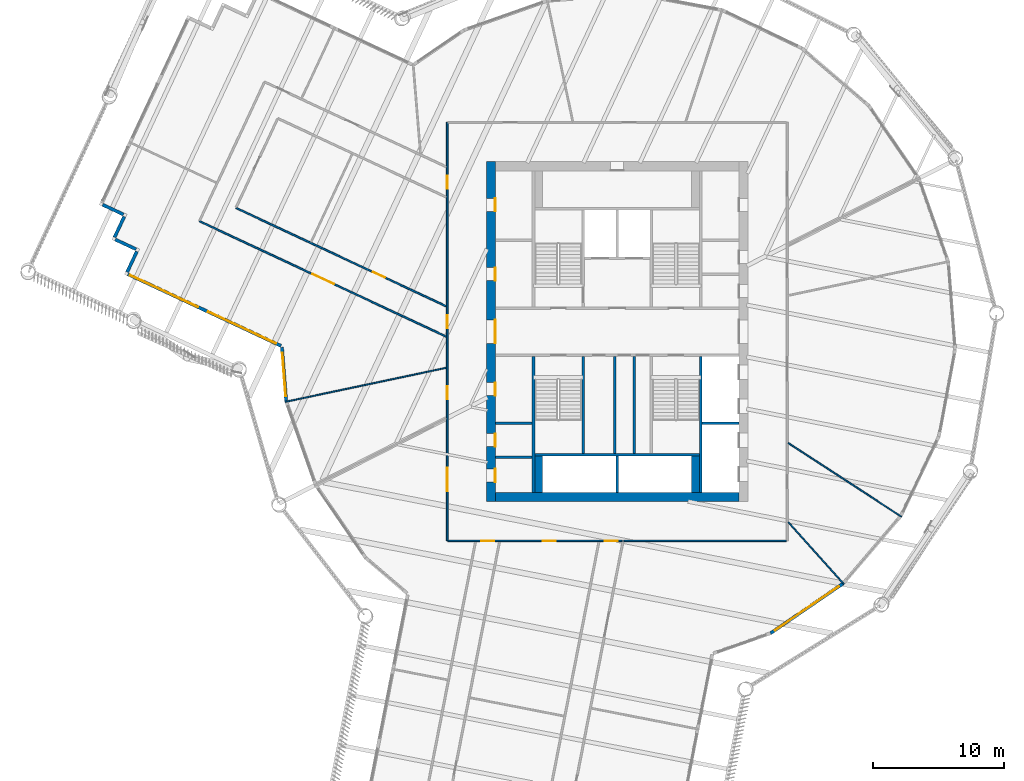
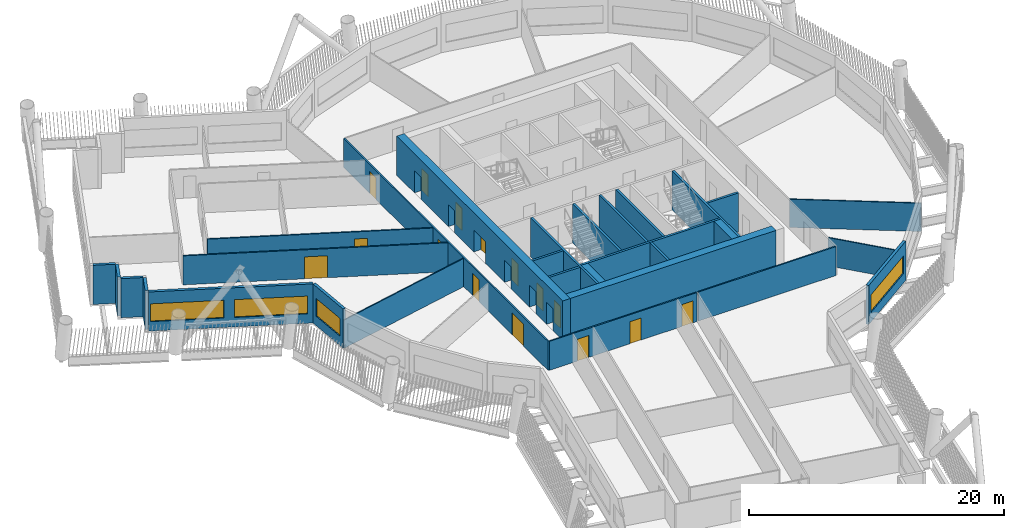
# One storey, part 4 of 24: 29 walls, 15 doors, 4 windows, 19 openings.
"""IFC4 building model written with IfcOpenShell, lengths in metres."""

from ifc_helpers import new_model, si_unit, direction, frame, frame_2d, origin, place, context, subcontext, project, spatial, rectangle, extrude, material, layer, layer_set, type_object, element, fill, save


model = new_model("IFC4")

# Units and contexts
model_context = context("Model", 3, precision=1e-05, world=origin(), true_north=direction((0.0, 1.0)))
body_context = subcontext(model_context, "Body", "Model", "MODEL_VIEW")
ifc_project = project(units=[si_unit("LENGTHUNIT", "METRE"), si_unit("AREAUNIT", "SQUARE_METRE"), si_unit("VOLUMEUNIT", "CUBIC_METRE"), si_unit("PLANEANGLEUNIT", "RADIAN"), si_unit("MASSUNIT", "GRAM", prefix="KILO")], contexts=[model_context])

# Site, building, storey
site_placement = place(None, origin())
site = spatial("IfcSite", under=ifc_project, at=site_placement, CompositionType="ELEMENT")
building_placement = place(site_placement, origin())
building = spatial("IfcBuilding", under=site, at=building_placement, Name="Tarsis Ring Headquarters", CompositionType="ELEMENT")
storey_placement = place(building_placement, frame((0.0, 0.0, 178.800048828125)))
storey = spatial("IfcBuildingStorey", under=building, at=storey_placement, Name="L41", CompositionType="ELEMENT", Elevation=178.800048828125)

# Walls
ifc_material_1 = material(Name="Blockwork", Category="masonry")
ifc_layer_1 = layer(ifc_material_1, 0.199951171875)
ifc_layer_set_1 = layer_set([ifc_layer_1], Name="Core blockwork wall 200")
wall_type_1 = type_object("IfcWallType", Name="Core blockwork wall 200", PredefinedType="PARTITIONING", material=ifc_layer_set_1)
for number, where, z_axis, x_axis, name in (
    (1, (-9.300048828125, -9.60009765625, 0.0), (0.0, 0.0, 1.0), (1.0, 0.0, 0.0), "Core partition WD1"),
    (2, (-9.300048828125, -7.0, 0.0), (0.0, 0.0, 1.0), (1.0, 0.0, 0.0), "Core partition WD2"),
):
    element("IfcWall", number, at=place(storey_placement, frame(where, z_axis=z_axis, x_axis=x_axis)), inside=storey, type_object=wall_type_1, Name=name, PredefinedType="PARTITIONING", context=body_context, shape_type="SweptSolid", body=[
        extrude(rectangle(XDim=2.800048828125, YDim=0.199951171875, at=frame_2d((1.39990234375, 0.0))), origin(), (0.0, 0.0, 1.0), 3.739990234375),
    ])
for number, where, z_axis, x_axis, name in (
    (3, (-0.199951171875, -9.300048828125, 0.0), (0.0, 0.0, 1.0), (0.0, 1.0, 0.0), "Core partition SV1"),
    (4, (1.300048828125, -9.300048828125, 0.0), (0.0, 0.0, 1.0), (0.0, 1.0, 0.0), "Core partition SV2"),
):
    element("IfcWall", number, at=place(storey_placement, frame(where, z_axis=z_axis, x_axis=x_axis)), inside=storey, type_object=wall_type_1, Name=name, PredefinedType="PARTITIONING", context=body_context, shape_type="SweptSolid", body=[
        extrude(rectangle(XDim=7.400146484375, YDim=0.199951171875, at=frame_2d((3.7001953125, 0.0))), origin(), (0.0, 0.0, 1.0), 3.739990234375),
    ])

# Wall, openings, doors
ifc_material_2 = material(Name="Concrete C60/75", Category="concrete")
ifc_layer_2 = layer(ifc_material_2, 0.699951171875)
ifc_layer_set_2 = layer_set([ifc_layer_2], Name="Core wall 700 C60/75")
wall_type_2 = type_object("IfcWallType", Name="Core wall 700 C60/75", PredefinedType="SHEAR", material=ifc_layer_set_2)
wall_1_placement = place(storey_placement, frame((-9.64990234375, -13.0, 0.0), z_axis=(0.0, 0.0, 1.0), x_axis=(0.0, 1.0, 0.0)))
wall_1 = element("IfcWall", 5, at=wall_1_placement, inside=storey, type_object=wall_type_2, Name="Core wall OW", PredefinedType="SHEAR", context=body_context, shape_type="SweptSolid", body=[
    extrude(rectangle(XDim=26.0, YDim=0.699951171875, at=frame_2d((13.0, 0.0))), origin(), (0.0, 0.0, 1.0), 3.739990234375),
])
opening_1_placement = place(wall_1_placement, frame((1.5, 0.0, 0.0)))
opening_1 = element("IfcOpeningElement", 6, at=opening_1_placement, cuts=wall_1, Name="Opening L41-C01", PredefinedType="OPENING", context=body_context, shape_type="SweptSolid", body=[
    extrude(rectangle(XDim=1.0, YDim=2.10009765625, at=frame_2d((0.5, 1.050048828125))), frame((0.0, 0.35986328125, 0.0), z_axis=(0.0, -1.0, 0.0), x_axis=(1.0, 0.0, 0.0)), (0.0, 0.0, 1.0), 0.719970703125),
])
opening_2_placement = place(wall_1_placement, frame((4.199951171875, 0.0, 0.0)))
opening_2 = element("IfcOpeningElement", 7, at=opening_2_placement, cuts=wall_1, Name="Opening L41-C02", PredefinedType="OPENING", context=body_context, shape_type="SweptSolid", body=[
    extrude(rectangle(XDim=1.0, YDim=2.10009765625, at=frame_2d((0.5, 1.050048828125))), frame((0.0, 0.35986328125, 0.0), z_axis=(0.0, -1.0, 0.0), x_axis=(1.0, 0.0, 0.0)), (0.0, 0.0, 1.0), 0.719970703125),
])
opening_3_placement = place(wall_1_placement, frame((8.10009765625, 0.0, 0.0)))
opening_3 = element("IfcOpeningElement", 8, at=opening_3_placement, cuts=wall_1, Name="Opening L41-C03", PredefinedType="OPENING", context=body_context, shape_type="SweptSolid", body=[
    extrude(rectangle(XDim=1.0, YDim=2.10009765625, at=frame_2d((0.5, 1.050048828125))), frame((0.0, 0.35986328125, 0.0), z_axis=(0.0, -1.0, 0.0), x_axis=(1.0, 0.0, 0.0)), (0.0, 0.0, 1.0), 0.719970703125),
])
opening_4_placement = place(wall_1_placement, frame((12.10009765625, 0.0, 0.0)))
opening_4 = element("IfcOpeningElement", 9, at=opening_4_placement, cuts=wall_1, Name="Opening L41-C04", PredefinedType="OPENING", context=body_context, shape_type="SweptSolid", body=[
    extrude(rectangle(XDim=1.800048828125, YDim=2.10009765625, at=frame_2d((0.89990234375, 1.050048828125))), frame((0.0, 0.35986328125, 0.0), z_axis=(0.0, -1.0, 0.0), x_axis=(1.0, 0.0, 0.0)), (0.0, 0.0, 1.0), 0.719970703125),
])
opening_5_placement = place(wall_1_placement, frame((16.89990234375, 0.0, 0.0)))
opening_5 = element("IfcOpeningElement", 10, at=opening_5_placement, cuts=wall_1, Name="Opening L41-C05", PredefinedType="OPENING", context=body_context, shape_type="SweptSolid", body=[
    extrude(rectangle(XDim=1.0, YDim=2.10009765625, at=frame_2d((0.5, 1.050048828125))), frame((0.0, 0.35986328125, 0.0), z_axis=(0.0, -1.0, 0.0), x_axis=(1.0, 0.0, 0.0)), (0.0, 0.0, 1.0), 0.719970703125),
])
opening_6_placement = place(wall_1_placement, frame((22.199951171875, 0.0, 0.0)))
opening_6 = element("IfcOpeningElement", 11, at=opening_6_placement, cuts=wall_1, Name="Opening L41-C06", PredefinedType="OPENING", context=body_context, shape_type="SweptSolid", body=[
    extrude(rectangle(XDim=1.0, YDim=2.10009765625, at=frame_2d((0.5, 1.050048828125))), frame((0.0, 0.35986328125, 0.0), z_axis=(0.0, -1.0, 0.0), x_axis=(1.0, 0.0, 0.0)), (0.0, 0.0, 1.0), 0.719970703125),
])
ifc_material_3 = material(Name="Steel S355", Category="steel")
door_type_1 = type_object("IfcDoorType", Name="Core entry door 1800x2100", OperationType="DOUBLE_DOOR_SINGLE_SWING", PredefinedType="DOOR", material=ifc_material_3)
door_1_placement = place(opening_4_placement, origin())
door_1 = element("IfcDoor", 12, at=door_1_placement, inside=storey, type_object=door_type_1, Name="Core entry door L41", OperationType="DOUBLE_DOOR_SINGLE_SWING", OverallHeight=2.10009765625, OverallWidth=1.800048828125, PredefinedType="DOOR", context=body_context, shape_type="SweptSolid", body=[
    extrude(rectangle(XDim=1.800048828125, YDim=2.10009765625, at=frame_2d((0.89990234375, 1.050048828125))), frame((0.0, -0.2998046875, 0.0), z_axis=(0.0, -1.0, 0.0), x_axis=(1.0, 0.0, 0.0)), (0.0, 0.0, 1.0), 0.050048828125),
])
fill(opening_4, door_1)
door_type_2 = type_object("IfcDoorType", Name="Core room door 1000x2100", OperationType="SINGLE_SWING_LEFT", PredefinedType="DOOR", material=ifc_material_3)
door_2_placement = place(opening_1_placement, origin())
door_2 = element("IfcDoor", 13, at=door_2_placement, inside=storey, type_object=door_type_2, Name="Core room door L41", OperationType="SINGLE_SWING_LEFT", OverallHeight=2.10009765625, OverallWidth=1.0, PredefinedType="DOOR", context=body_context, shape_type="SweptSolid", body=[
    extrude(rectangle(XDim=1.0, YDim=2.10009765625, at=frame_2d((0.5, 1.050048828125))), frame((0.0, -0.2998046875, 0.0), z_axis=(0.0, -1.0, 0.0), x_axis=(1.0, 0.0, 0.0)), (0.0, 0.0, 1.0), 0.050048828125),
])
fill(opening_1, door_2)
door_3_placement = place(opening_2_placement, origin())
door_3 = element("IfcDoor", 14, at=door_3_placement, inside=storey, type_object=door_type_2, Name="Core room door L41", OperationType="SINGLE_SWING_LEFT", OverallHeight=2.10009765625, OverallWidth=1.0, PredefinedType="DOOR", context=body_context, shape_type="SweptSolid", body=[
    extrude(rectangle(XDim=1.0, YDim=2.10009765625, at=frame_2d((0.5, 1.050048828125))), frame((0.0, -0.2998046875, 0.0), z_axis=(0.0, -1.0, 0.0), x_axis=(1.0, 0.0, 0.0)), (0.0, 0.0, 1.0), 0.050048828125),
])
fill(opening_2, door_3)
door_4_placement = place(opening_3_placement, origin())
door_4 = element("IfcDoor", 15, at=door_4_placement, inside=storey, type_object=door_type_2, Name="Core room door L41", OperationType="SINGLE_SWING_LEFT", OverallHeight=2.10009765625, OverallWidth=1.0, PredefinedType="DOOR", context=body_context, shape_type="SweptSolid", body=[
    extrude(rectangle(XDim=1.0, YDim=2.10009765625, at=frame_2d((0.5, 1.050048828125))), frame((0.0, -0.2998046875, 0.0), z_axis=(0.0, -1.0, 0.0), x_axis=(1.0, 0.0, 0.0)), (0.0, 0.0, 1.0), 0.050048828125),
])
fill(opening_3, door_4)
door_5_placement = place(opening_5_placement, origin())
door_5 = element("IfcDoor", 16, at=door_5_placement, inside=storey, type_object=door_type_2, Name="Core room door L41", OperationType="SINGLE_SWING_LEFT", OverallHeight=2.10009765625, OverallWidth=1.0, PredefinedType="DOOR", context=body_context, shape_type="SweptSolid", body=[
    extrude(rectangle(XDim=1.0, YDim=2.10009765625, at=frame_2d((0.5, 1.050048828125))), frame((0.0, -0.2998046875, 0.0), z_axis=(0.0, -1.0, 0.0), x_axis=(1.0, 0.0, 0.0)), (0.0, 0.0, 1.0), 0.050048828125),
])
fill(opening_5, door_5)
door_6_placement = place(opening_6_placement, origin())
door_6 = element("IfcDoor", 17, at=door_6_placement, inside=storey, type_object=door_type_2, Name="Core room door L41", OperationType="SINGLE_SWING_LEFT", OverallHeight=2.10009765625, OverallWidth=1.0, PredefinedType="DOOR", context=body_context, shape_type="SweptSolid", body=[
    extrude(rectangle(XDim=1.0, YDim=2.10009765625, at=frame_2d((0.5, 1.050048828125))), frame((0.0, -0.2998046875, 0.0), z_axis=(0.0, -1.0, 0.0), x_axis=(1.0, 0.0, 0.0)), (0.0, 0.0, 1.0), 0.050048828125),
])
fill(opening_6, door_6)

# Walls
wall_2_placement = place(storey_placement, frame((-9.300048828125, -12.64990234375, 0.0), z_axis=(0.0, 0.0, 1.0), x_axis=(1.0, 0.0, 0.0)))
element("IfcWall", 18, at=wall_2_placement, inside=storey, type_object=wall_type_2, Name="Core wall OS", PredefinedType="SHEAR", context=body_context, shape_type="SweptSolid", body=[
    extrude(rectangle(XDim=18.60009765625, YDim=0.699951171875, at=frame_2d((9.300048828125, 0.0))), origin(), (0.0, 0.0, 1.0), 3.739990234375),
])
ifc_material_4 = material(Name="Gypsum board on steel studs", Category="steel")
ifc_layer_3 = layer(ifc_material_4, 0.10009765625)
ifc_layer_set_3 = layer_set([ifc_layer_3], Name="FL partition 100 unrated")
wall_type_3 = type_object("IfcWallType", Name="FL partition 100 unrated", PredefinedType="PARTITIONING", material=ifc_layer_set_3)
wall_3_placement = place(storey_placement, frame((-25.386474609375, -5.368408203125, 0.0), z_axis=(0.0, 0.0, 1.0), x_axis=(0.978361329404, 0.2069036228, 0.0)))
element("IfcWall", 19, at=wall_3_placement, inside=storey, type_object=wall_type_3, Name="Partition PW3", PredefinedType="PARTITIONING", context=body_context, shape_type="SweptSolid", body=[
    extrude(rectangle(XDim=12.59033203125, YDim=0.10009765625, at=frame_2d((6.295166015625, 0.0))), origin(), (0.0, 0.0, 1.0), 2.699951171875),
])
wall_4_placement = place(storey_placement, frame((13.083740234375, -8.51611328125, 0.0), z_axis=(0.0, 0.0, 1.0), x_axis=(0.838093767469, -0.545526201872, 0.0)))
element("IfcWall", 20, at=wall_4_placement, inside=storey, type_object=wall_type_3, Name="Partition PW3", PredefinedType="PARTITIONING", context=body_context, shape_type="SweptSolid", body=[
    extrude(rectangle(XDim=10.336669921875, YDim=0.10009765625, at=frame_2d((5.16845703125, 0.0))), origin(), (0.0, 0.0, 1.0), 2.699951171875),
])
wall_5_placement = place(storey_placement, frame((13.0869140625, -14.565185546875, 0.0), z_axis=(0.0, 0.0, 1.0), x_axis=(0.66834802054, -0.743848723492, 0.0)))
element("IfcWall", 21, at=wall_5_placement, inside=storey, type_object=wall_type_3, Name="Partition PW3", PredefinedType="PARTITIONING", context=body_context, shape_type="SweptSolid", body=[
    extrude(rectangle(XDim=6.366943359375, YDim=0.10009765625, at=frame_2d((3.18359375, 0.0))), origin(), (0.0, 0.0, 1.0), 2.699951171875),
])

# Wall, openings, doors
ifc_layer_4 = layer(ifc_material_4, 0.125)
ifc_layer_set_4 = layer_set([ifc_layer_4], Name="FL partition 125 EI 60 H2770")
wall_type_4 = type_object("IfcWallType", Name="FL partition 125 EI 60 H2770", PredefinedType="PARTITIONING", material=ifc_layer_set_4)
wall_6_placement = place(storey_placement, frame((-13.0, -16.0, 0.0), z_axis=(0.0, 0.0, 1.0), x_axis=(0.0, 1.0, 0.0)))
wall_6 = element("IfcWall", 22, at=wall_6_placement, inside=storey, type_object=wall_type_4, Name="Partition PW1", PredefinedType="PARTITIONING", context=body_context, shape_type="SweptSolid", body=[
    extrude(rectangle(XDim=32.0, YDim=0.125, at=frame_2d((16.0, 0.0))), origin(), (0.0, 0.0, 1.0), 2.77001953125),
])
opening_7_placement = place(wall_6_placement, frame((3.796630859375, 0.0, 0.0)))
opening_7 = element("IfcOpeningElement", 23, at=opening_7_placement, cuts=wall_6, Name="Opening D41.15", PredefinedType="OPENING", context=body_context, shape_type="SweptSolid", body=[
    extrude(rectangle(XDim=1.800048828125, YDim=2.10009765625, at=frame_2d((0.89990234375, 1.050048828125))), frame((0.0, 0.072509765625, 0.0), z_axis=(0.0, -1.0, 0.0), x_axis=(1.0, 0.0, 0.0)), (0.0, 0.0, 1.0), 0.14501953125),
])
opening_8_placement = place(wall_6_placement, frame((10.822021484375, 0.0, 0.0)))
opening_8 = element("IfcOpeningElement", 24, at=opening_8_placement, cuts=wall_6, Name="Opening D41.16", PredefinedType="OPENING", context=body_context, shape_type="SweptSolid", body=[
    extrude(rectangle(XDim=1.0, YDim=2.10009765625, at=frame_2d((0.5, 1.050048828125))), frame((0.0, 0.072509765625, 0.0), z_axis=(0.0, -1.0, 0.0), x_axis=(1.0, 0.0, 0.0)), (0.0, 0.0, 1.0), 0.14501953125),
])
opening_9_placement = place(wall_6_placement, frame((16.24658203125, 0.0, 0.0)))
opening_9 = element("IfcOpeningElement", 25, at=opening_9_placement, cuts=wall_6, Name="Opening D41.23", PredefinedType="OPENING", context=body_context, shape_type="SweptSolid", body=[
    extrude(rectangle(XDim=1.0, YDim=2.10009765625, at=frame_2d((0.5, 1.050048828125))), frame((0.0, 0.072509765625, 0.0), z_axis=(0.0, -1.0, 0.0), x_axis=(1.0, 0.0, 0.0)), (0.0, 0.0, 1.0), 0.14501953125),
])
opening_10_placement = place(wall_6_placement, frame((26.910400390625, 0.0, 0.0)))
opening_10 = element("IfcOpeningElement", 26, at=opening_10_placement, cuts=wall_6, Name="Opening D41.24", PredefinedType="OPENING", context=body_context, shape_type="SweptSolid", body=[
    extrude(rectangle(XDim=1.0, YDim=2.10009765625, at=frame_2d((0.5, 1.050048828125))), frame((0.0, 0.072509765625, 0.0), z_axis=(0.0, -1.0, 0.0), x_axis=(1.0, 0.0, 0.0)), (0.0, 0.0, 1.0), 0.14501953125),
])
ifc_material_5 = material(Name="Fire-rated timber door leaf in steel frame", Category="steel")
door_type_3 = type_object("IfcDoorType", Name="FL door FD60-1000", OperationType="NOTDEFINED", PredefinedType="DOOR", material=ifc_material_5)
door_7_placement = place(opening_8_placement, origin())
door_7 = element("IfcDoor", 27, at=door_7_placement, inside=storey, type_object=door_type_3, Name="Door D41.16", OperationType="SINGLE_SWING_LEFT", OverallHeight=2.10009765625, OverallWidth=1.0, PredefinedType="DOOR", context=body_context, shape_type="SweptSolid", body=[
    extrude(rectangle(XDim=1.0, YDim=2.10009765625, at=frame_2d((0.5, 1.050048828125))), frame((0.0, 0.02490234375, 0.0), z_axis=(0.0, -1.0, 0.0), x_axis=(1.0, 0.0, 0.0)), (0.0, 0.0, 1.0), 0.050048828125),
])
fill(opening_8, door_7)
door_8_placement = place(opening_9_placement, origin())
door_8 = element("IfcDoor", 28, at=door_8_placement, inside=storey, type_object=door_type_3, Name="Door D41.23", OperationType="SINGLE_SWING_RIGHT", OverallHeight=2.10009765625, OverallWidth=1.0, PredefinedType="DOOR", context=body_context, shape_type="SweptSolid", body=[
    extrude(rectangle(XDim=1.0, YDim=2.10009765625, at=frame_2d((0.5, 1.050048828125))), frame((0.0, 0.02490234375, 0.0), z_axis=(0.0, -1.0, 0.0), x_axis=(1.0, 0.0, 0.0)), (0.0, 0.0, 1.0), 0.050048828125),
])
fill(opening_9, door_8)
door_9_placement = place(opening_10_placement, origin())
door_9 = element("IfcDoor", 29, at=door_9_placement, inside=storey, type_object=door_type_3, Name="Door D41.24", OperationType="SINGLE_SWING_LEFT", OverallHeight=2.10009765625, OverallWidth=1.0, PredefinedType="DOOR", context=body_context, shape_type="SweptSolid", body=[
    extrude(rectangle(XDim=1.0, YDim=2.10009765625, at=frame_2d((0.5, 1.050048828125))), frame((0.0, 0.02490234375, 0.0), z_axis=(0.0, -1.0, 0.0), x_axis=(1.0, 0.0, 0.0)), (0.0, 0.0, 1.0), 0.050048828125),
])
fill(opening_10, door_9)
door_type_4 = type_object("IfcDoorType", Name="FL door FD60-1800", OperationType="DOUBLE_DOOR_SINGLE_SWING", PredefinedType="DOOR", material=ifc_material_5)
door_10_placement = place(opening_7_placement, origin())
door_10 = element("IfcDoor", 30, at=door_10_placement, inside=storey, type_object=door_type_4, Name="Door D41.15", OperationType="DOUBLE_DOOR_SINGLE_SWING", OverallHeight=2.10009765625, OverallWidth=1.800048828125, PredefinedType="DOOR", context=body_context, shape_type="SweptSolid", body=[
    extrude(rectangle(XDim=1.800048828125, YDim=2.10009765625, at=frame_2d((0.89990234375, 1.050048828125))), frame((0.0, 0.02490234375, 0.0), z_axis=(0.0, -1.0, 0.0), x_axis=(1.0, 0.0, 0.0)), (0.0, 0.0, 1.0), 0.050048828125),
])
fill(opening_7, door_10)

wall_7_placement = place(storey_placement, frame((-12.93994140625, -16.0, 0.0), z_axis=(0.0, 0.0, 1.0), x_axis=(1.0, 0.0, 0.0)))
wall_7 = element("IfcWall", 31, at=wall_7_placement, inside=storey, type_object=wall_type_4, Name="Partition PW1", PredefinedType="PARTITIONING", context=body_context, shape_type="SweptSolid", body=[
    extrude(rectangle(XDim=13.31298828125, YDim=0.125, at=frame_2d((6.656494140625, 0.0))), origin(), (0.0, 0.0, 1.0), 2.77001953125),
])
opening_11_placement = place(wall_7_placement, frame((7.25439453125, 0.0, 0.0)))
opening_11 = element("IfcOpeningElement", 32, at=opening_11_placement, cuts=wall_7, Name="Opening D41.19", PredefinedType="OPENING", context=body_context, shape_type="SweptSolid", body=[
    extrude(rectangle(XDim=1.0, YDim=2.10009765625, at=frame_2d((0.5, 1.050048828125))), frame((0.0, 0.072509765625, 0.0), z_axis=(0.0, -1.0, 0.0), x_axis=(1.0, 0.0, 0.0)), (0.0, 0.0, 1.0), 0.14501953125),
])
opening_12_placement = place(wall_7_placement, frame((2.53662109375, 0.0, 0.0)))
opening_12 = element("IfcOpeningElement", 33, at=opening_12_placement, cuts=wall_7, Name="Opening D41.21", PredefinedType="OPENING", context=body_context, shape_type="SweptSolid", body=[
    extrude(rectangle(XDim=1.0, YDim=2.10009765625, at=frame_2d((0.5, 1.050048828125))), frame((0.0, 0.072509765625, 0.0), z_axis=(0.0, -1.0, 0.0), x_axis=(1.0, 0.0, 0.0)), (0.0, 0.0, 1.0), 0.14501953125),
])
opening_13_placement = place(wall_7_placement, frame((11.971923828125, 0.0, 0.0)))
opening_13 = element("IfcOpeningElement", 34, at=opening_13_placement, cuts=wall_7, Name="Opening D41.22", PredefinedType="OPENING", context=body_context, shape_type="SweptSolid", body=[
    extrude(rectangle(XDim=1.0, YDim=2.10009765625, at=frame_2d((0.5, 1.050048828125))), frame((0.0, 0.072509765625, 0.0), z_axis=(0.0, -1.0, 0.0), x_axis=(1.0, 0.0, 0.0)), (0.0, 0.0, 1.0), 0.14501953125),
])
door_11_placement = place(opening_11_placement, origin())
door_11 = element("IfcDoor", 35, at=door_11_placement, inside=storey, type_object=door_type_3, Name="Door D41.19", OperationType="SINGLE_SWING_RIGHT", OverallHeight=2.10009765625, OverallWidth=1.0, PredefinedType="DOOR", context=body_context, shape_type="SweptSolid", body=[
    extrude(rectangle(XDim=1.0, YDim=2.10009765625, at=frame_2d((0.5, 1.050048828125))), frame((0.0, 0.02490234375, 0.0), z_axis=(0.0, -1.0, 0.0), x_axis=(1.0, 0.0, 0.0)), (0.0, 0.0, 1.0), 0.050048828125),
])
fill(opening_11, door_11)
door_12_placement = place(opening_12_placement, origin())
door_12 = element("IfcDoor", 36, at=door_12_placement, inside=storey, type_object=door_type_3, Name="Door D41.21", OperationType="SINGLE_SWING_RIGHT", OverallHeight=2.10009765625, OverallWidth=1.0, PredefinedType="DOOR", context=body_context, shape_type="SweptSolid", body=[
    extrude(rectangle(XDim=1.0, YDim=2.10009765625, at=frame_2d((0.5, 1.050048828125))), frame((0.0, 0.02490234375, 0.0), z_axis=(0.0, -1.0, 0.0), x_axis=(1.0, 0.0, 0.0)), (0.0, 0.0, 1.0), 0.050048828125),
])
fill(opening_12, door_12)
door_13_placement = place(opening_13_placement, origin())
door_13 = element("IfcDoor", 37, at=door_13_placement, inside=storey, type_object=door_type_3, Name="Door D41.22", OperationType="SINGLE_SWING_LEFT", OverallHeight=2.10009765625, OverallWidth=1.0, PredefinedType="DOOR", context=body_context, shape_type="SweptSolid", body=[
    extrude(rectangle(XDim=1.0, YDim=2.10009765625, at=frame_2d((0.5, 1.050048828125))), frame((0.0, 0.02490234375, 0.0), z_axis=(0.0, -1.0, 0.0), x_axis=(1.0, 0.0, 0.0)), (0.0, 0.0, 1.0), 0.050048828125),
])
fill(opening_13, door_13)

# Wall
wall_8_placement = place(storey_placement, frame((0.51025390625, -16.0, 0.0), z_axis=(0.0, 0.0, 1.0), x_axis=(1.0, 0.0, 0.0)))
element("IfcWall", 38, at=wall_8_placement, inside=storey, type_object=wall_type_4, Name="Partition PW1", PredefinedType="PARTITIONING", context=body_context, shape_type="SweptSolid", body=[
    extrude(rectangle(XDim=12.4296875, YDim=0.125, at=frame_2d((6.21484375, 0.0))), origin(), (0.0, 0.0, 1.0), 2.77001953125),
])

# Wall, opening, door
wall_9_placement = place(storey_placement, frame((-31.94921875, 8.447998046875, 0.0), z_axis=(0.0, 0.0, 1.0), x_axis=(0.905863662498, -0.423569386248, 0.0)))
wall_9 = element("IfcWall", 39, at=wall_9_placement, inside=storey, type_object=wall_type_4, Name="Partition PW1", PredefinedType="PARTITIONING", context=body_context, shape_type="SweptSolid", body=[
    extrude(rectangle(XDim=20.828369140625, YDim=0.125, at=frame_2d((10.4140625, 0.0))), origin(), (0.0, 0.0, 1.0), 2.77001953125),
])
opening_14_placement = place(wall_9_placement, frame((9.55908203125, 0.0, 0.0)))
opening_14 = element("IfcOpeningElement", 40, at=opening_14_placement, cuts=wall_9, Name="Opening D41.01", PredefinedType="OPENING", context=body_context, shape_type="SweptSolid", body=[
    extrude(rectangle(XDim=1.800048828125, YDim=2.10009765625, at=frame_2d((0.89990234375, 1.050048828125))), frame((0.0, 0.072509765625, 0.0), z_axis=(0.0, -1.0, 0.0), x_axis=(1.0, 0.0, 0.0)), (0.0, 0.0, 1.0), 0.14501953125),
])
door_14_placement = place(opening_14_placement, origin())
door_14 = element("IfcDoor", 41, at=door_14_placement, inside=storey, type_object=door_type_4, Name="Door D41.01", OperationType="DOUBLE_DOOR_SINGLE_SWING", OverallHeight=2.10009765625, OverallWidth=1.800048828125, PredefinedType="DOOR", context=body_context, shape_type="SweptSolid", body=[
    extrude(rectangle(XDim=1.800048828125, YDim=2.10009765625, at=frame_2d((0.89990234375, 1.050048828125))), frame((0.0, 0.02490234375, 0.0), z_axis=(0.0, -1.0, 0.0), x_axis=(1.0, 0.0, 0.0)), (0.0, 0.0, 1.0), 0.050048828125),
])
fill(opening_14, door_14)

wall_10_placement = place(storey_placement, frame((-29.157470703125, 9.460693359375, 0.0), z_axis=(0.0, 0.0, 1.0), x_axis=(0.905864461225, -0.423567678051, 0.0)))
wall_10 = element("IfcWall", 42, at=wall_10_placement, inside=storey, type_object=wall_type_4, Name="Partition PW1", PredefinedType="PARTITIONING", context=body_context, shape_type="SweptSolid", body=[
    extrude(rectangle(XDim=17.74658203125, YDim=0.125, at=frame_2d((8.873291015625, 0.0))), origin(), (0.0, 0.0, 1.0), 2.77001953125),
])
opening_15_placement = place(wall_10_placement, frame((11.579345703125, 0.0, 0.0)))
opening_15 = element("IfcOpeningElement", 43, at=opening_15_placement, cuts=wall_10, Name="Opening D41.17", PredefinedType="OPENING", context=body_context, shape_type="SweptSolid", body=[
    extrude(rectangle(XDim=1.0, YDim=2.10009765625, at=frame_2d((0.5, 1.050048828125))), frame((0.0, 0.072509765625, 0.0), z_axis=(0.0, -1.0, 0.0), x_axis=(1.0, 0.0, 0.0)), (0.0, 0.0, 1.0), 0.14501953125),
])
door_15_placement = place(opening_15_placement, origin())
door_15 = element("IfcDoor", 44, at=door_15_placement, inside=storey, type_object=door_type_3, Name="Door D41.17", OperationType="SINGLE_SWING_RIGHT", OverallHeight=2.10009765625, OverallWidth=1.0, PredefinedType="DOOR", context=body_context, shape_type="SweptSolid", body=[
    extrude(rectangle(XDim=1.0, YDim=2.10009765625, at=frame_2d((0.5, 1.050048828125))), frame((0.0, 0.02490234375, 0.0), z_axis=(0.0, -1.0, 0.0), x_axis=(1.0, 0.0, 0.0)), (0.0, 0.0, 1.0), 0.050048828125),
])
fill(opening_15, door_15)

# Wall, openings, windows
ifc_material_6 = material(Name="Terracotta clad insulated panel wall", Category="masonry")
ifc_layer_5 = layer(ifc_material_6, 0.25)
ifc_layer_set_5 = layer_set([ifc_layer_5], Name="Facade wall terracotta panel 250")
wall_type_5 = type_object("IfcWallType", Name="Facade wall terracotta panel 250", PredefinedType="STANDARD", material=ifc_layer_set_5)
wall_11_placement = place(storey_placement, frame((-37.41455078125, 4.385498046875, 0.0), z_axis=(0.0, 0.0, 1.0), x_axis=(0.905862864978, -0.423571091852, 0.0)))
wall_11 = element("IfcWall", 45, at=wall_11_placement, inside=storey, type_object=wall_type_5, Name="External wall L41-01", PredefinedType="STANDARD", context=body_context, shape_type="SweptSolid", body=[
    extrude(rectangle(XDim=12.922119140625, YDim=0.25, at=frame_2d((6.4609375, 0.0))), origin(), (0.0, 0.0, 1.0), 3.739990234375),
])
opening_16_placement = place(wall_11_placement, frame((0.16796875, 0.0, 0.89990234375)))
opening_16 = element("IfcOpeningElement", 46, at=opening_16_placement, cuts=wall_11, Name="Opening WN06", PredefinedType="OPENING", context=body_context, shape_type="SweptSolid", body=[
    extrude(rectangle(XDim=5.75, YDim=1.699951171875, at=frame_2d((2.875, 0.85009765625))), frame((0.0, 0.135009765625, 0.0), z_axis=(0.0, -1.0, 0.0), x_axis=(1.0, 0.0, 0.0)), (0.0, 0.0, 1.0), 0.27001953125),
])
opening_17_placement = place(wall_11_placement, frame((6.75390625, 0.0, 0.89990234375)))
opening_17 = element("IfcOpeningElement", 47, at=opening_17_placement, cuts=wall_11, Name="Opening WN06", PredefinedType="OPENING", context=body_context, shape_type="SweptSolid", body=[
    extrude(rectangle(XDim=5.75, YDim=1.699951171875, at=frame_2d((2.875, 0.85009765625))), frame((0.0, 0.135009765625, 0.0), z_axis=(0.0, -1.0, 0.0), x_axis=(1.0, 0.0, 0.0)), (0.0, 0.0, 1.0), 0.27001953125),
])
ifc_material_7 = material(Name="Aluminium framed double glazing", Category="aluminium")
window_type_1 = type_object("IfcWindowType", Name="Facade window 5750 x 1700", PartitioningType="SINGLE_PANEL", PredefinedType="WINDOW", material=ifc_material_7)
window_1_placement = place(opening_16_placement, origin())
window_1 = element("IfcWindow", 48, at=window_1_placement, inside=storey, type_object=window_type_1, Name="Window L41-01.1", OverallHeight=1.699951171875, OverallWidth=5.75, PartitioningType="SINGLE_PANEL", PredefinedType="WINDOW", context=body_context, shape_type="SweptSolid", body=[
    extrude(rectangle(XDim=5.75, YDim=1.699951171875, at=frame_2d((2.875, 0.85009765625))), frame((0.0, 0.030029296875, 0.0), z_axis=(0.0, -1.0, 0.0), x_axis=(1.0, 0.0, 0.0)), (0.0, 0.0, 1.0), 0.06005859375),
])
fill(opening_16, window_1)
window_2_placement = place(opening_17_placement, origin())
window_2 = element("IfcWindow", 49, at=window_2_placement, inside=storey, type_object=window_type_1, Name="Window L41-01.2", OverallHeight=1.699951171875, OverallWidth=5.75, PartitioningType="SINGLE_PANEL", PredefinedType="WINDOW", context=body_context, shape_type="SweptSolid", body=[
    extrude(rectangle(XDim=5.75, YDim=1.699951171875, at=frame_2d((2.875, 0.85009765625))), frame((0.0, 0.030029296875, 0.0), z_axis=(0.0, -1.0, 0.0), x_axis=(1.0, 0.0, 0.0)), (0.0, 0.0, 1.0), 0.06005859375),
])
fill(opening_17, window_2)

# Wall, opening, window
wall_12_placement = place(storey_placement, frame((-25.63720703125, -1.19140625, 0.0), z_axis=(0.0, 0.0, 1.0), x_axis=(0.077392480593, -0.997000704086, 0.0)))
wall_12 = element("IfcWall", 50, at=wall_12_placement, inside=storey, type_object=wall_type_5, Name="External wall L41-02", PredefinedType="STANDARD", context=body_context, shape_type="SweptSolid", body=[
    extrude(rectangle(XDim=4.15771484375, YDim=0.25, at=frame_2d((2.078857421875, 0.0))), origin(), (0.0, 0.0, 1.0), 3.739990234375),
])
opening_18_placement = place(wall_12_placement, frame((0.420166015625, 0.0, 0.89990234375)))
opening_18 = element("IfcOpeningElement", 51, at=opening_18_placement, cuts=wall_12, Name="Opening WN01", PredefinedType="OPENING", context=body_context, shape_type="SweptSolid", body=[
    extrude(rectangle(XDim=3.35009765625, YDim=1.699951171875, at=frame_2d((1.675048828125, 0.85009765625))), frame((0.0, 0.135009765625, 0.0), z_axis=(0.0, -1.0, 0.0), x_axis=(1.0, 0.0, 0.0)), (0.0, 0.0, 1.0), 0.27001953125),
])
window_type_2 = type_object("IfcWindowType", Name="Facade window 3350 x 1700", PartitioningType="SINGLE_PANEL", PredefinedType="WINDOW", material=ifc_material_7)
window_3_placement = place(opening_18_placement, origin())
window_3 = element("IfcWindow", 52, at=window_3_placement, inside=storey, type_object=window_type_2, Name="Window L41-02.1", OverallHeight=1.699951171875, OverallWidth=3.35009765625, PartitioningType="SINGLE_PANEL", PredefinedType="WINDOW", context=body_context, shape_type="SweptSolid", body=[
    extrude(rectangle(XDim=3.35009765625, YDim=1.699951171875, at=frame_2d((1.675048828125, 0.85009765625))), frame((0.0, 0.030029296875, 0.0), z_axis=(0.0, -1.0, 0.0), x_axis=(1.0, 0.0, 0.0)), (0.0, 0.0, 1.0), 0.06005859375),
])
fill(opening_18, window_3)

wall_13_placement = place(storey_placement, frame((11.73583984375, -23.056884765625, 0.0), z_axis=(0.0, 0.0, 1.0), x_axis=(0.824725947693, 0.565532590751, 0.0)))
wall_13 = element("IfcWall", 53, at=wall_13_placement, inside=storey, type_object=wall_type_5, Name="External wall L41-18", PredefinedType="STANDARD", context=body_context, shape_type="SweptSolid", body=[
    extrude(rectangle(XDim=6.7216796875, YDim=0.25, at=frame_2d((3.36083984375, 0.0))), origin(), (0.0, 0.0, 1.0), 3.739990234375),
])
opening_19_placement = place(wall_13_placement, frame((0.3857421875, 0.0, 0.89990234375)))
opening_19 = element("IfcOpeningElement", 54, at=opening_19_placement, cuts=wall_13, Name="Opening WN07", PredefinedType="OPENING", context=body_context, shape_type="SweptSolid", body=[
    extrude(rectangle(XDim=5.949951171875, YDim=1.699951171875, at=frame_2d((2.97509765625, 0.85009765625))), frame((0.0, 0.135009765625, 0.0), z_axis=(0.0, -1.0, 0.0), x_axis=(1.0, 0.0, 0.0)), (0.0, 0.0, 1.0), 0.27001953125),
])
window_type_3 = type_object("IfcWindowType", Name="Facade window 5950 x 1700", PartitioningType="SINGLE_PANEL", PredefinedType="WINDOW", material=ifc_material_7)
window_4_placement = place(opening_19_placement, origin())
window_4 = element("IfcWindow", 55, at=window_4_placement, inside=storey, type_object=window_type_3, Name="Window L41-18.1", OverallHeight=1.699951171875, OverallWidth=5.949951171875, PartitioningType="SINGLE_PANEL", PredefinedType="WINDOW", context=body_context, shape_type="SweptSolid", body=[
    extrude(rectangle(XDim=5.949951171875, YDim=1.699951171875, at=frame_2d((2.97509765625, 0.85009765625))), frame((0.0, 0.030029296875, 0.0), z_axis=(0.0, -1.0, 0.0), x_axis=(1.0, 0.0, 0.0)), (0.0, 0.0, 1.0), 0.06005859375),
])
fill(opening_19, window_4)

# Walls
for number, where, z_axis, x_axis, name in (
    (56, (-39.34375, 9.703125, 0.0), (0.0, 0.0, 1.0), (0.905865668465, -0.423565096174, 0.0), "External wall L41-37"),
    (57, (-37.6982421875, 8.795654296875, 0.0), (0.0, 0.0, 1.0), (-0.423565096174, -0.905865668465, 0.0), "External wall L41-38"),
    (58, (-38.379150390625, 7.044189453125, 0.0), (0.0, 0.0, 1.0), (0.905865668465, -0.423565096174, 0.0), "External wall L41-39"),
    (59, (-36.733642578125, 6.13671875, 0.0), (0.0, 0.0, 1.0), (-0.423565096174, -0.905865668465, 0.0), "External wall L41-40"),
):
    element("IfcWall", number, at=place(storey_placement, frame(where, z_axis=z_axis, x_axis=x_axis)), inside=storey, type_object=wall_type_5, Name=name, PredefinedType="STANDARD", context=body_context, shape_type="SweptSolid", body=[
        extrude(rectangle(XDim=1.75, YDim=0.25, at=frame_2d((0.875, 0.0))), origin(), (0.0, 0.0, 1.0), 3.739990234375),
    ])
ifc_material_8 = material(Name="Concrete C32/40", Category="concrete")
ifc_layer_6 = layer(ifc_material_8, 0.60009765625)
ifc_layer_set_6 = layer_set([ifc_layer_6], Name="Shaft end wall 600 C32/40")
wall_type_6 = type_object("IfcWallType", Name="Shaft end wall 600 C32/40", PredefinedType="SOLIDWALL", material=ifc_layer_set_6)
for number, where, z_axis, x_axis, name in (
    (60, (-6.0, -12.300048828125, 0.0), (0.0, 0.0, 1.0), (0.0, 1.0, 0.0), "Core shaft wall SNE1"),
    (61, (6.0, -12.300048828125, 0.0), (0.0, 0.0, 1.0), (0.0, 1.0, 0.0), "Core shaft wall SNE2"),
):
    element("IfcWall", number, at=place(storey_placement, frame(where, z_axis=z_axis, x_axis=x_axis)), inside=storey, type_object=wall_type_6, Name=name, PredefinedType="SOLIDWALL", context=body_context, shape_type="SweptSolid", body=[
        extrude(rectangle(XDim=2.800048828125, YDim=0.60009765625, at=frame_2d((1.39990234375, 0.0))), origin(), (0.0, 0.0, 1.0), 3.739990234375),
    ])
ifc_layer_7 = layer(ifc_material_8, 0.199951171875)
ifc_layer_set_7 = layer_set([ifc_layer_7], Name="Shaft wall 200 C32/40")
wall_type_7 = type_object("IfcWallType", Name="Shaft wall 200 C32/40", PredefinedType="SOLIDWALL", material=ifc_layer_set_7)
for number, where, z_axis, x_axis, name in (
    (62, (-6.39990234375, -12.300048828125, 0.0), (0.0, 0.0, 1.0), (0.0, 1.0, 0.0), "Core shaft wall WB1"),
    (63, (6.39990234375, -12.300048828125, 0.0), (0.0, 0.0, 1.0), (0.0, 1.0, 0.0), "Core shaft wall EB1"),
):
    element("IfcWall", number, at=place(storey_placement, frame(where, z_axis=z_axis, x_axis=x_axis)), inside=storey, type_object=wall_type_7, Name=name, PredefinedType="SOLIDWALL", context=body_context, shape_type="SweptSolid", body=[
        extrude(rectangle(XDim=10.400146484375, YDim=0.199951171875, at=frame_2d((5.2001953125, 0.0))), origin(), (0.0, 0.0, 1.0), 3.739990234375),
    ])
wall_14_placement = place(storey_placement, frame((-6.300048828125, -9.39990234375, 0.0), z_axis=(0.0, 0.0, 1.0), x_axis=(1.0, 0.0, 0.0)))
element("IfcWall", 64, at=wall_14_placement, inside=storey, type_object=wall_type_7, Name="Core shaft wall SB", PredefinedType="SOLIDWALL", context=body_context, shape_type="SweptSolid", body=[
    extrude(rectangle(XDim=12.60009765625, YDim=0.199951171875, at=frame_2d((6.300048828125, 0.0))), origin(), (0.0, 0.0, 1.0), 3.739990234375),
])
wall_15_placement = place(storey_placement, frame((-2.60009765625, -9.300048828125, 0.0), z_axis=(0.0, 0.0, 1.0), x_axis=(0.0, 1.0, 0.0)))
element("IfcWall", 65, at=wall_15_placement, inside=storey, type_object=wall_type_7, Name="Core shaft wall SW3", PredefinedType="SOLIDWALL", context=body_context, shape_type="SweptSolid", body=[
    extrude(rectangle(XDim=7.400146484375, YDim=0.199951171875, at=frame_2d((3.7001953125, 0.0))), origin(), (0.0, 0.0, 1.0), 3.739990234375),
])
for number, where, z_axis, x_axis, name in (
    (66, (6.5, -7.0, 0.0), (0.0, 0.0, 1.0), (1.0, 0.0, 0.0), "Core shaft wall ED2"),
    (67, (0.0, -12.300048828125, 0.0), (0.0, 0.0, 1.0), (0.0, 1.0, 0.0), "Core shaft wall SD2"),
):
    element("IfcWall", number, at=place(storey_placement, frame(where, z_axis=z_axis, x_axis=x_axis)), inside=storey, type_object=wall_type_7, Name=name, PredefinedType="SOLIDWALL", context=body_context, shape_type="SweptSolid", body=[
        extrude(rectangle(XDim=2.800048828125, YDim=0.199951171875, at=frame_2d((1.39990234375, 0.0))), origin(), (0.0, 0.0, 1.0), 3.739990234375),
    ])

save(model, "model.ifc")
